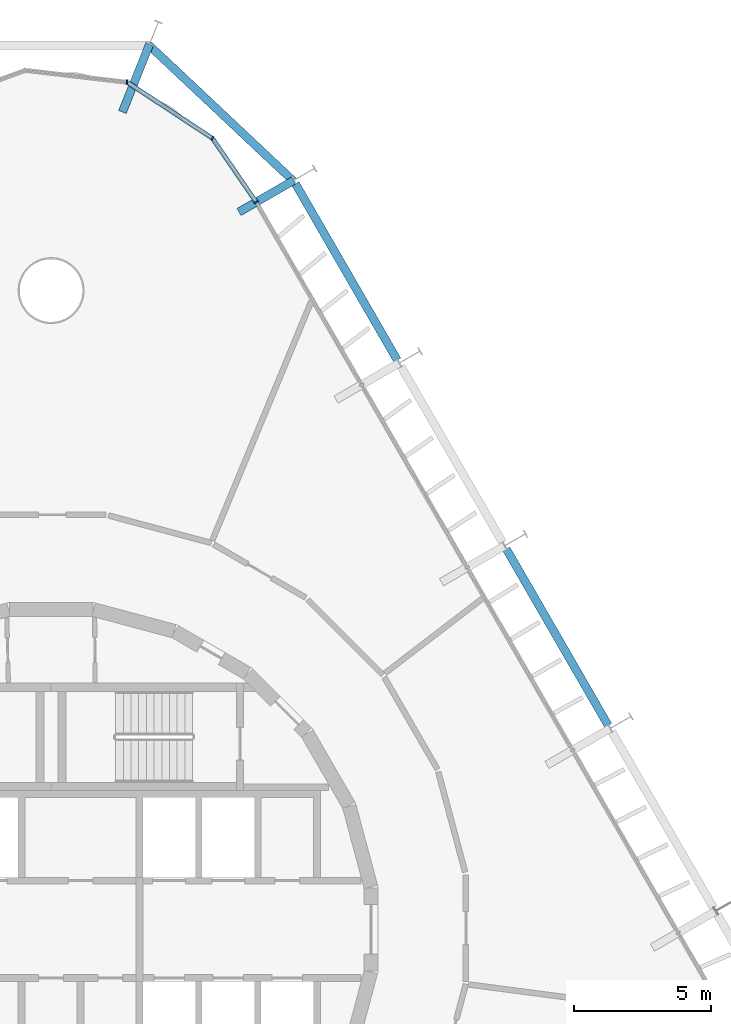
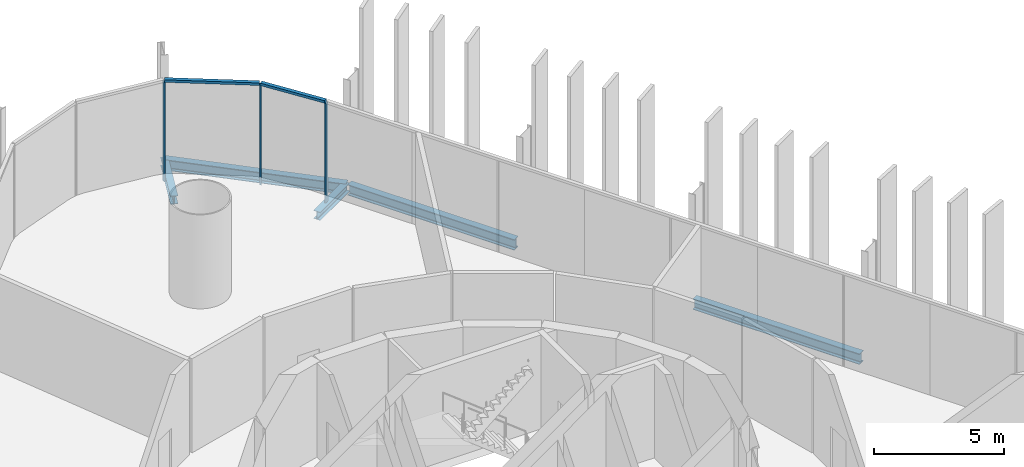
# One storey, part 12 of 18: 5 beams, 5 members, 1 element without a shape of its own.
"""IFC4 building model written with IfcOpenShell, lengths in metres."""

from ifc_helpers import new_model, si_unit, direction, frame, origin, origin_2d, place, context, subcontext, project, spatial, rectangle, i_section, extrude, material, layer, layer_set, material_profile, profile_set, type_object, element, aggregate, save


model = new_model("IFC4")

# Units and contexts
model_context = context("Model", 3, precision=1e-05, world=origin(), true_north=direction((0.0, 1.0)))
body_context = subcontext(model_context, "Body", "Model", "MODEL_VIEW")
ifc_project = project(units=[si_unit("LENGTHUNIT", "METRE"), si_unit("AREAUNIT", "SQUARE_METRE"), si_unit("VOLUMEUNIT", "CUBIC_METRE"), si_unit("PLANEANGLEUNIT", "RADIAN"), si_unit("MASSUNIT", "GRAM", prefix="KILO")], contexts=[model_context])

# Site, building, storey
site_placement = place(None, origin())
site = spatial("IfcSite", under=ifc_project, at=site_placement, CompositionType="ELEMENT")
building_placement = place(site_placement, origin())
building = spatial("IfcBuilding", under=site, at=building_placement, Name="Spindle Arch Residences", CompositionType="ELEMENT")
storey_placement = place(building_placement, frame((0.0, 0.0, 9.0)))
storey = spatial("IfcBuildingStorey", under=building, at=storey_placement, Name="L01", CompositionType="ELEMENT", Elevation=9.0)

# Curtain wall, members
ifc_material_1 = material(Name="Aluminium bronze unitised frame with tinted glass", Category="aluminium")
ifc_layer = layer(ifc_material_1, 0.159912109375)
ifc_layer_set = layer_set([ifc_layer], Name="CW-D corner wall on the fillet arcs")
curtain_wall_type = type_object("IfcCurtainWallType", Name="CW-D corner wall on the fillet arcs", PredefinedType="NOTDEFINED", material=ifc_layer_set)
curtain_wall_placement = place(storey_placement, origin())
curtain_wall = element("IfcCurtainWall", 1, at=curtain_wall_placement, inside=storey, type_object=curtain_wall_type, Name="CW-D L01 run 3", PredefinedType="NOTDEFINED")
ifc_material_2 = material(Name="Aluminium bronze anodised mullion", Category="aluminium")
ifc_material_profile_1 = material_profile(ifc_material_2, rectangle(XDim=0.159912109375, YDim=0.06005859375, at=origin_2d()), Name="MU 60x160")
ifc_profile_set_1 = profile_set([ifc_material_profile_1], Name="Aluminium bronze anodised mullion")
member_type_1 = type_object("IfcMemberType", Name="Bronze mullion 60x160", PredefinedType="MULLION", material=ifc_profile_set_1)
member_1_placement = place(storey_placement, frame((7.46923828125, 26.48291015625, -0.3798828125), z_axis=(0.0, 0.0, 1.0), x_axis=(-0.824747802142, -0.565500718711, 0.0)))
member_1 = element("IfcMember", 2, at=member_1_placement, type_object=member_type_1, Name="CW-D mullion 00", PredefinedType="MULLION", context=body_context, shape_type="SweptSolid", body=[
    extrude(rectangle(XDim=0.159912109375, YDim=0.06005859375, at=origin_2d()), origin(), (0.0, 0.0, 1.0), 4.679931640625),
])
member_2_placement = place(storey_placement, frame((5.877197265625, 28.8046875, -0.3798828125), z_axis=(0.0, 0.0, 1.0), x_axis=(-0.549508977628, -0.835487811704, 0.0)))
member_2 = element("IfcMember", 3, at=member_2_placement, type_object=member_type_1, Name="CW-D mullion 01", PredefinedType="MULLION", context=body_context, shape_type="SweptSolid", body=[
    extrude(rectangle(XDim=0.159912109375, YDim=0.06005859375, at=origin_2d()), origin(), (0.0, 0.0, 1.0), 4.679931640625),
])
member_3_placement = place(storey_placement, frame((2.763427734375, 30.8525390625, -0.3798828125), z_axis=(0.0, 0.0, 1.0), x_axis=(-0.116092915414, -0.993238357591, 0.0)))
member_3 = element("IfcMember", 4, at=member_3_placement, type_object=member_type_1, Name="CW-D mullion 02", PredefinedType="MULLION", context=body_context, shape_type="SweptSolid", body=[
    extrude(rectangle(XDim=0.159912109375, YDim=0.06005859375, at=origin_2d()), origin(), (0.0, 0.0, 1.0), 4.679931640625),
])
ifc_material_3 = material(Name="Aluminium bronze anodised transom", Category="aluminium")
ifc_material_profile_2 = material_profile(ifc_material_3, rectangle(XDim=0.159912109375, YDim=0.1201171875, at=origin_2d()), Name="TR 120x160")
ifc_profile_set_2 = profile_set([ifc_material_profile_2], Name="Aluminium bronze anodised transom")
member_type_2 = type_object("IfcMemberType", Name="Bronze transom 120x160", PredefinedType="USERDEFINED", material=ifc_profile_set_2)
member_4_placement = place(storey_placement, frame((7.4521484375, 26.507568359375, 4.360107421875), z_axis=(-0.565490471855, 0.824754827958, 0.0), x_axis=(-0.824754827958, -0.565490471855, 0.0)))
member_4 = element("IfcMember", 5, at=member_4_placement, type_object=member_type_2, Name="CW-D transom 00", ObjectType="TRANSOM", PredefinedType="USERDEFINED", context=body_context, shape_type="SweptSolid", body=[
    extrude(rectangle(XDim=0.159912109375, YDim=0.1201171875, at=origin_2d()), origin(), (0.0, 0.0, 1.0), 2.75537109375),
])
member_5_placement = place(storey_placement, frame((5.85205078125, 28.821044921875, 4.360107421875), z_axis=(-0.835486265536, 0.549511328456, 0.0), x_axis=(-0.549511328456, -0.835486265536, 0.0)))
member_5 = element("IfcMember", 6, at=member_5_placement, type_object=member_type_2, Name="CW-D transom 01", ObjectType="TRANSOM", PredefinedType="USERDEFINED", context=body_context, shape_type="SweptSolid", body=[
    extrude(rectangle(XDim=0.159912109375, YDim=0.1201171875, at=origin_2d()), origin(), (0.0, 0.0, 1.0), 3.666748046875),
])
aggregate(curtain_wall, [member_1, member_4, member_2, member_5, member_3])

# Beams
ifc_material_4 = material(Name="Steel S460ML, intumescent coating R 120", Category="steel")
ifc_material_profile_3 = material_profile(ifc_material_4, i_section(OverallWidth=0.300048828125, OverallDepth=0.5, WebThickness=0.014404296875, FlangeThickness=0.028076171875, FilletRadius=0.027099609375, at=origin_2d()), Name="HEB 500")
ifc_profile_set_3 = profile_set([ifc_material_profile_3], Name="Steel S460ML, intumescent coating R 120")
beam_type_1 = type_object("IfcBeamType", Name="Exoskeleton edge beam HEB 500", PredefinedType="BEAM", material=ifc_profile_set_3)
beam_1_placement = place(storey_placement, frame((20.283935546875, 7.427001953125, -0.6298828125), z_axis=(-0.500003477455, 0.866023396066, 0.0), x_axis=(-0.866023396066, -0.500003477455, 0.0)))
element("IfcBeam", 7, at=beam_1_placement, inside=storey, type_object=beam_type_1, Name="Exoskeleton edge beam 8", PredefinedType="BEAM", context=body_context, shape_type="SweptSolid", body=[
    extrude(i_section(OverallWidth=0.300048828125, OverallDepth=0.5, WebThickness=0.014404296875, FlangeThickness=0.028076171875, FilletRadius=0.027099609375, at=origin_2d()), origin(), (0.0, 0.0, 1.0), 7.419921875),
])
beam_2_placement = place(storey_placement, frame((12.60400390625, 20.729248046875, -0.6298828125), z_axis=(-0.5000139068, 0.866017374541, 0.0), x_axis=(-0.866017374541, -0.5000139068, 0.0)))
element("IfcBeam", 8, at=beam_2_placement, inside=storey, type_object=beam_type_1, Name="Exoskeleton edge beam 10", PredefinedType="BEAM", context=body_context, shape_type="SweptSolid", body=[
    extrude(i_section(OverallWidth=0.300048828125, OverallDepth=0.5, WebThickness=0.014404296875, FlangeThickness=0.028076171875, FilletRadius=0.027099609375, at=origin_2d()), origin(), (0.0, 0.0, 1.0), 7.420166015625),
])
beam_3_placement = place(storey_placement, frame((8.829345703125, 27.24169921875, -0.6298828125), z_axis=(-0.728377909202, 0.685175613538, 0.0), x_axis=(-0.685175613538, -0.728377909202, 0.0)))
element("IfcBeam", 9, at=beam_3_placement, inside=storey, type_object=beam_type_1, Name="Exoskeleton edge beam 11", PredefinedType="BEAM", context=body_context, shape_type="SweptSolid", body=[
    extrude(i_section(OverallWidth=0.300048828125, OverallDepth=0.5, WebThickness=0.014404296875, FlangeThickness=0.028076171875, FilletRadius=0.027099609375, at=origin_2d()), origin(), (0.0, 0.0, 1.0), 7.250244140625),
])
ifc_material_5 = material(Name="Steel S460ML, intumescent coating R 120", Category="steel")
ifc_material_profile_4 = material_profile(ifc_material_5, i_section(OverallWidth=0.300048828125, OverallDepth=0.389892578125, WebThickness=0.010986328125, FlangeThickness=0.01904296875, FilletRadius=0.027099609375, at=origin_2d()), Name="HEA 400")
ifc_profile_set_4 = profile_set([ifc_material_profile_4], Name="Steel S460ML, intumescent coating R 120")
beam_type_2 = type_object("IfcBeamType", Name="Floor outrigger HEA 400", PredefinedType="BEAM", material=ifc_profile_set_4)
beam_4_placement = place(storey_placement, frame((8.828857421875, 27.267822265625, -0.574951171875), z_axis=(-0.866020755578, -0.500008050843, 0.0), x_axis=(0.500008050843, -0.866020755578, 0.0)))
element("IfcBeam", 10, at=beam_4_placement, inside=storey, type_object=beam_type_2, Name="Floor outrigger 11", PredefinedType="BEAM", context=body_context, shape_type="SweptSolid", body=[
    extrude(i_section(OverallWidth=0.300048828125, OverallDepth=0.389892578125, WebThickness=0.010986328125, FlangeThickness=0.01904296875, FilletRadius=0.027099609375, at=origin_2d()), origin(), (0.0, 0.0, 1.0), 2.2939453125),
])
beam_5_placement = place(storey_placement, frame((3.581298828125, 32.220703125, -0.574951171875), z_axis=(-0.371104734129, -0.928591016706, 0.0), x_axis=(0.928591016706, -0.371104734129, 0.0)))
element("IfcBeam", 11, at=beam_5_placement, inside=storey, type_object=beam_type_2, Name="Floor outrigger 12", PredefinedType="BEAM", context=body_context, shape_type="SweptSolid", body=[
    extrude(i_section(OverallWidth=0.300048828125, OverallDepth=0.389892578125, WebThickness=0.010986328125, FlangeThickness=0.01904296875, FilletRadius=0.027099609375, at=origin_2d()), origin(), (0.0, 0.0, 1.0), 2.64990234375),
])

save(model, "model.ifc")
